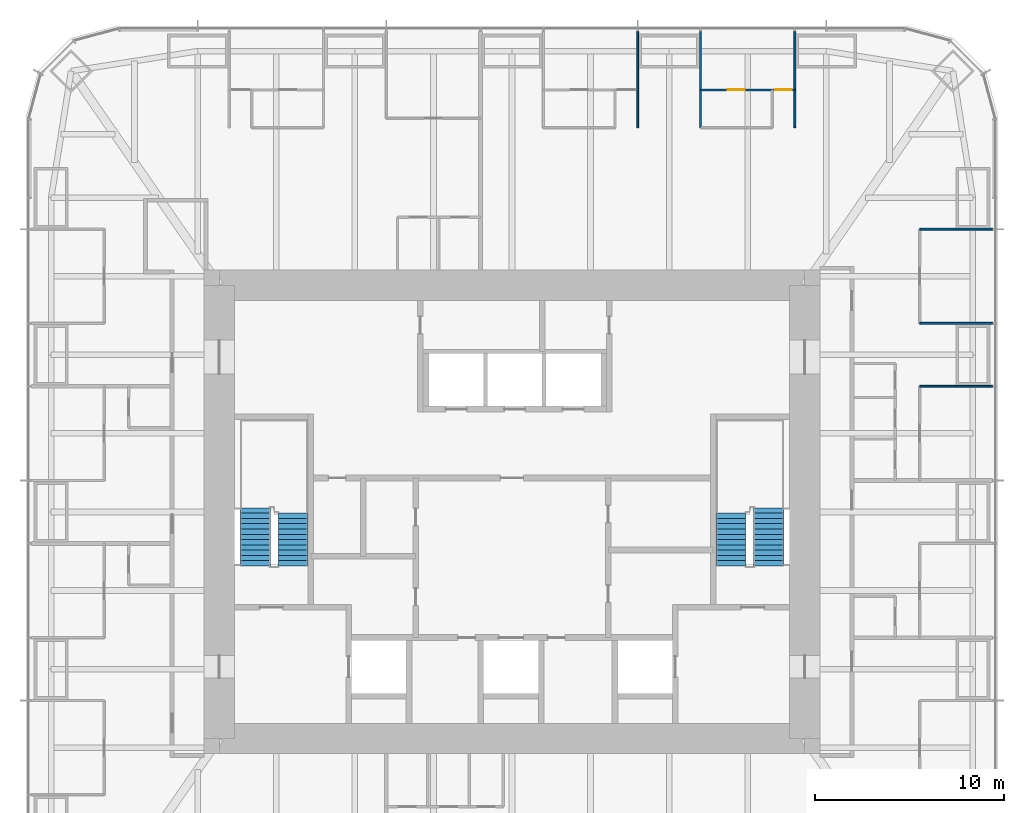
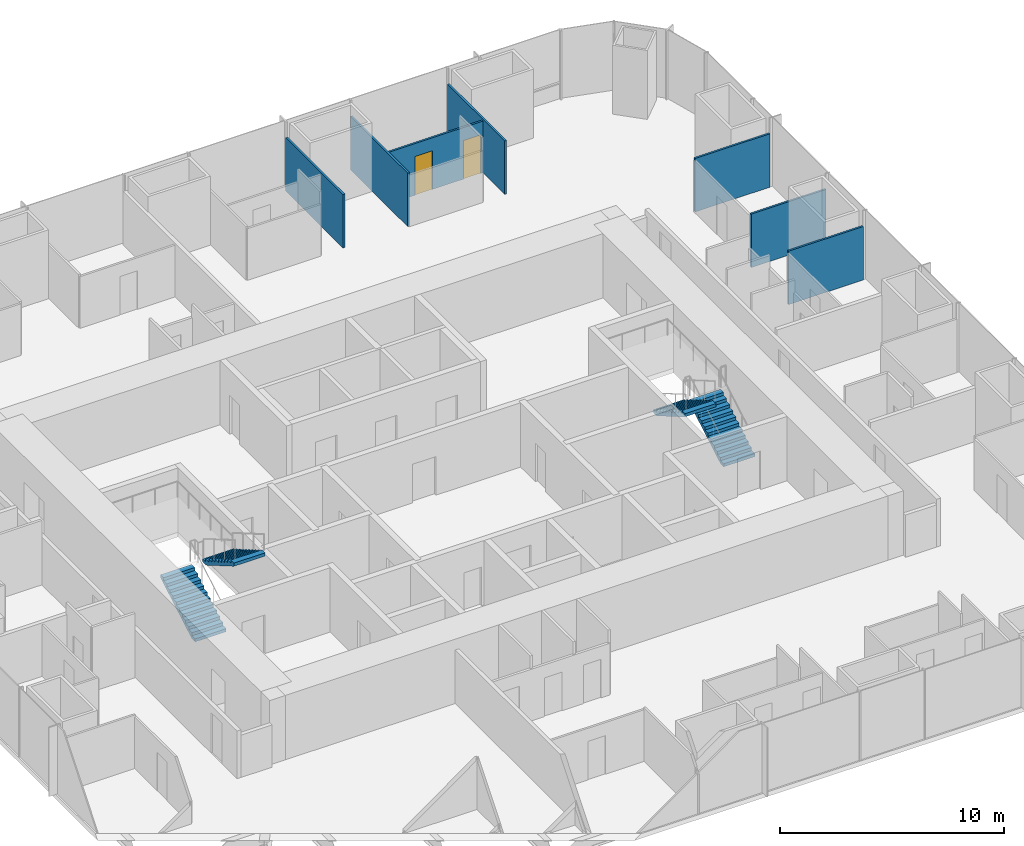
# One storey, part 12 of 13: 7 walls, 4 stair flights, 2 doors, 2 openings, 2 elements without a shape of their own.
"""IFC4 building model written with IfcOpenShell, lengths in metres."""

from ifc_helpers import new_model, si_unit, direction, frame, frame_2d, origin, place, context, subcontext, project, spatial, polyline, rectangle, outline, extrude, material, layer, layer_set, type_object, element, fill, aggregate, save


model = new_model("IFC4")

# Units and contexts
model_context = context("Model", 3, precision=1e-05, world=origin(), true_north=direction((0.0, 1.0)))
body_context = subcontext(model_context, "Body", "Model", "MODEL_VIEW")
ifc_project = project(units=[si_unit("LENGTHUNIT", "METRE"), si_unit("AREAUNIT", "SQUARE_METRE"), si_unit("VOLUMEUNIT", "CUBIC_METRE"), si_unit("PLANEANGLEUNIT", "RADIAN"), si_unit("MASSUNIT", "GRAM", prefix="KILO")], contexts=[model_context])

# Site, building, storey
site_placement = place(None, origin())
site = spatial("IfcSite", under=ifc_project, at=site_placement, CompositionType="ELEMENT")
building_placement = place(site_placement, origin())
building = spatial("IfcBuilding", under=site, at=building_placement, Name="Khuree Lantern Residences", CompositionType="ELEMENT")
storey_placement = place(building_placement, frame((0.0, 0.0, 263.25)))
storey = spatial("IfcBuildingStorey", under=building, at=storey_placement, Name="L66", CompositionType="ELEMENT", Elevation=263.25)

# Walls
ifc_material_1 = material(Name="Gypsum board on steel studs", Category="steel")
ifc_layer = layer(ifc_material_1, 0.10009765625)
ifc_layer_set = layer_set([ifc_layer], Name="PARTITION PT100")
wall_type = type_object("IfcWallType", Name="PARTITION PT100", PredefinedType="PARTITIONING", material=ifc_layer_set)
for number, where, z_axis, x_axis, name in (
    (1, (21.60009765625, 6.656005859375, 0.0), (0.0, 0.0, 1.0), (1.0, 0.0, 0.0), "L66 PARTITION 02"),
    (2, (21.60009765625, 9.98388671875, 0.0), (0.0, 0.0, 1.0), (1.0, 0.0, 0.0), "L66 PARTITION 02"),
    (3, (21.60009765625, 14.97607421875, 0.0), (0.0, 0.0, 1.0), (1.0, 0.0, 0.0), "L66 PARTITION 02"),
):
    element("IfcWall", number, at=place(storey_placement, frame(where, z_axis=z_axis, x_axis=x_axis)), inside=storey, type_object=wall_type, Name=name, PredefinedType="PARTITIONING", context=body_context, shape_type="SweptSolid", body=[
        extrude(rectangle(XDim=3.849853515625, YDim=0.10009765625, at=frame_2d((1.9248046875, 0.0))), origin(), (0.0, 0.0, 1.0), 2.909912109375),
    ])
for number, where, z_axis, x_axis, name in (
    (4, (14.97607421875, 20.344970703125, 0.0), (0.0, 0.0, 1.0), (0.0, 1.0, 0.0), "L66 PARTITION 02"),
    (5, (9.98388671875, 20.344970703125, 0.0), (0.0, 0.0, 1.0), (0.0, 1.0, 0.0), "L66 PARTITION 02"),
    (6, (6.656005859375, 20.344970703125, 0.0), (0.0, 0.0, 1.0), (0.0, 1.0, 0.0), "L66 PARTITION 02"),
):
    element("IfcWall", number, at=place(storey_placement, frame(where, z_axis=z_axis, x_axis=x_axis)), inside=storey, type_object=wall_type, Name=name, PredefinedType="PARTITIONING", context=body_context, shape_type="SweptSolid", body=[
        extrude(rectangle(XDim=5.10498046875, YDim=0.10009765625, at=frame_2d((2.552490234375, 0.0))), origin(), (0.0, 0.0, 1.0), 2.909912109375),
    ])

# Wall, openings, doors
wall_placement = place(storey_placement, frame((14.97607421875, 22.344970703125, 0.0), z_axis=(0.0, 0.0, 1.0), x_axis=(-1.0, 0.0, 0.0)))
wall = element("IfcWall", 7, at=wall_placement, inside=storey, type_object=wall_type, Name="L66 PARTITION 02", PredefinedType="PARTITIONING", context=body_context, shape_type="SweptSolid", body=[
    extrude(rectangle(XDim=4.9921875, YDim=0.10009765625, at=frame_2d((2.49609375, 0.0))), origin(), (0.0, 0.0, 1.0), 2.81005859375),
])
opening_1_placement = place(wall_placement, frame((0.14990234375, 0.0, 0.0)))
opening_1 = element("IfcOpeningElement", 8, at=opening_1_placement, cuts=wall, Name="Opening 66-028", PredefinedType="OPENING", context=body_context, shape_type="SweptSolid", body=[
    extrude(rectangle(XDim=0.89990234375, YDim=2.10009765625, at=frame_2d((0.449951171875, 1.050048828125))), frame((0.0, 0.06005859375, 0.0), z_axis=(0.0, -1.0, 0.0), x_axis=(1.0, 0.0, 0.0)), (0.0, 0.0, 1.0), 0.1201171875),
])
opening_2_placement = place(wall_placement, frame((2.64599609375, 0.0, 0.0)))
opening_2 = element("IfcOpeningElement", 9, at=opening_2_placement, cuts=wall, Name="Opening 66-029", PredefinedType="OPENING", context=body_context, shape_type="SweptSolid", body=[
    extrude(rectangle(XDim=0.89990234375, YDim=2.10009765625, at=frame_2d((0.449951171875, 1.050048828125))), frame((0.0, 0.06005859375, 0.0), z_axis=(0.0, -1.0, 0.0), x_axis=(1.0, 0.0, 0.0)), (0.0, 0.0, 1.0), 0.1201171875),
])
ifc_material_2 = material(Name="Timber door leaf in hardwood frame", Category="wood")
door_type_1 = type_object("IfcDoorType", Name="BEDROOM DOOR 900X2100", OperationType="SINGLE_SWING_LEFT", PredefinedType="DOOR", material=ifc_material_2)
door_1_placement = place(opening_1_placement, origin())
door_1 = element("IfcDoor", 10, at=door_1_placement, inside=storey, type_object=door_type_1, Name="Bedroom door 66-028", OperationType="SINGLE_SWING_LEFT", OverallHeight=2.10009765625, OverallWidth=0.89990234375, PredefinedType="DOOR", context=body_context, shape_type="SweptSolid", body=[
    extrude(rectangle(XDim=0.89990234375, YDim=2.10009765625, at=frame_2d((0.449951171875, 1.050048828125))), frame((0.0, 0.02490234375, 0.0), z_axis=(0.0, -1.0, 0.0), x_axis=(1.0, 0.0, 0.0)), (0.0, 0.0, 1.0), 0.050048828125),
])
fill(opening_1, door_1)
door_type_2 = type_object("IfcDoorType", Name="DOOR 900X2100", OperationType="SINGLE_SWING_LEFT", PredefinedType="DOOR", material=ifc_material_2)
door_2_placement = place(opening_2_placement, origin())
door_2 = element("IfcDoor", 11, at=door_2_placement, inside=storey, type_object=door_type_2, Name="Wardrobe door 66-029", OperationType="SINGLE_SWING_LEFT", OverallHeight=2.10009765625, OverallWidth=0.89990234375, PredefinedType="DOOR", context=body_context, shape_type="SweptSolid", body=[
    extrude(rectangle(XDim=0.89990234375, YDim=2.10009765625, at=frame_2d((0.449951171875, 1.050048828125))), frame((0.0, 0.02490234375, 0.0), z_axis=(0.0, -1.0, 0.0), x_axis=(1.0, 0.0, 0.0)), (0.0, 0.0, 1.0), 0.050048828125),
])
fill(opening_2, door_2)

# Stair, stair flights
ifc_material_3 = material(Name="Concrete C40/50", Category="concrete")
stair_type = type_object("IfcStairType", Name="STAIR ST1 HALF TURN 3600", PredefinedType="HALF_TURN_STAIR", material=ifc_material_3)
stair_1_placement = place(storey_placement, origin())
stair_1 = element("IfcStair", 12, at=stair_1_placement, inside=storey, type_object=stair_type, Name="Stair ST1", PredefinedType="HALF_TURN_STAIR")
stair_flight_type = type_object("IfcStairFlightType", Name="STAIR FLIGHT SF1 1600", PredefinedType="STRAIGHT", material=ifc_material_3)
stair_flight_1_placement = place(storey_placement, frame((-13.60009765625, -2.860107421875, 0.0), z_axis=(0.0, 0.0, 1.0), x_axis=(0.0, 1.0, 0.0)))
stair_flight_1 = element("IfcStairFlight", 13, at=stair_flight_1_placement, type_object=stair_flight_type, Name="ST1 flight 1", NumberOfRisers=12, NumberOfTreads=11, PredefinedType="STRAIGHT", RiserHeight=0.163043478, TreadLength=0.28, context=body_context, shape_type="SweptSolid", body=[
    extrude(outline(polyline([(0.0, 0.0), (0.0, 0.1630859375), (0.280029296875, 0.1630859375), (0.280029296875, 0.326171875), (0.56005859375, 0.326171875), (0.56005859375, 0.489013671875), (0.840087890625, 0.489013671875), (0.840087890625, 0.652099609375), (1.1201171875, 0.652099609375), (1.1201171875, 0.815185546875), (1.39990234375, 0.815185546875), (1.39990234375, 0.978271484375), (1.679931640625, 0.978271484375), (1.679931640625, 1.141357421875), (1.9599609375, 1.141357421875), (1.9599609375, 1.304443359375), (2.239990234375, 1.304443359375), (2.239990234375, 1.46728515625), (2.52001953125, 1.46728515625), (2.52001953125, 1.63037109375), (2.800048828125, 1.63037109375), (2.800048828125, 1.79345703125), (3.080078125, 1.79345703125), (3.080078125, 1.95654296875), (3.080078125, 1.6201171875), (0.2978515625, 0.0), (0.0, 0.0)])), frame((0.0, 0.800048828125, 0.0), z_axis=(0.0, -1.0, 0.0), x_axis=(1.0, 0.0, 0.0)), (0.0, 0.0, 1.0), 1.60009765625),
])
stair_flight_2_placement = place(storey_placement, frame((-11.60009765625, -0.06005859375, 1.95654296875), z_axis=(0.0, 0.0, 1.0), x_axis=(0.0, -1.0, 0.0)))
stair_flight_2 = element("IfcStairFlight", 14, at=stair_flight_2_placement, type_object=stair_flight_type, Name="ST1 flight 2", NumberOfRisers=11, NumberOfTreads=10, PredefinedType="STRAIGHT", RiserHeight=0.163043478, TreadLength=0.28, context=body_context, shape_type="SweptSolid", body=[
    extrude(outline(polyline([(0.0, 0.0), (0.0, 0.1630859375), (0.280029296875, 0.1630859375), (0.280029296875, 0.326171875), (0.56005859375, 0.326171875), (0.56005859375, 0.489013671875), (0.840087890625, 0.489013671875), (0.840087890625, 0.652099609375), (1.1201171875, 0.652099609375), (1.1201171875, 0.815185546875), (1.39990234375, 0.815185546875), (1.39990234375, 0.978271484375), (1.679931640625, 0.978271484375), (1.679931640625, 1.141357421875), (1.9599609375, 1.141357421875), (1.9599609375, 1.304443359375), (2.239990234375, 1.304443359375), (2.239990234375, 1.46728515625), (2.52001953125, 1.46728515625), (2.52001953125, 1.63037109375), (2.800048828125, 1.63037109375), (2.800048828125, 1.79345703125), (2.800048828125, 1.45703125), (0.2978515625, 0.0), (0.0, 0.0)])), frame((0.0, 0.800048828125, 0.0), z_axis=(0.0, -1.0, 0.0), x_axis=(1.0, 0.0, 0.0)), (0.0, 0.0, 1.0), 1.60009765625),
])
aggregate(stair_1, [stair_flight_1, stair_flight_2])

stair_2_placement = place(storey_placement, origin())
stair_2 = element("IfcStair", 15, at=stair_2_placement, inside=storey, type_object=stair_type, Name="Stair ST2", PredefinedType="HALF_TURN_STAIR")
stair_flight_3_placement = place(storey_placement, frame((13.60009765625, -2.860107421875, 0.0), z_axis=(0.0, 0.0, 1.0), x_axis=(0.0, 1.0, 0.0)))
stair_flight_3 = element("IfcStairFlight", 16, at=stair_flight_3_placement, type_object=stair_flight_type, Name="ST2 flight 1", NumberOfRisers=12, NumberOfTreads=11, PredefinedType="STRAIGHT", RiserHeight=0.163043478, TreadLength=0.28, context=body_context, shape_type="SweptSolid", body=[
    extrude(outline(polyline([(0.0, 0.0), (0.0, 0.1630859375), (0.280029296875, 0.1630859375), (0.280029296875, 0.326171875), (0.56005859375, 0.326171875), (0.56005859375, 0.489013671875), (0.840087890625, 0.489013671875), (0.840087890625, 0.652099609375), (1.1201171875, 0.652099609375), (1.1201171875, 0.815185546875), (1.39990234375, 0.815185546875), (1.39990234375, 0.978271484375), (1.679931640625, 0.978271484375), (1.679931640625, 1.141357421875), (1.9599609375, 1.141357421875), (1.9599609375, 1.304443359375), (2.239990234375, 1.304443359375), (2.239990234375, 1.46728515625), (2.52001953125, 1.46728515625), (2.52001953125, 1.63037109375), (2.800048828125, 1.63037109375), (2.800048828125, 1.79345703125), (3.080078125, 1.79345703125), (3.080078125, 1.95654296875), (3.080078125, 1.6201171875), (0.2978515625, 0.0), (0.0, 0.0)])), frame((0.0, 0.800048828125, 0.0), z_axis=(0.0, -1.0, 0.0), x_axis=(1.0, 0.0, 0.0)), (0.0, 0.0, 1.0), 1.60009765625),
])
stair_flight_4_placement = place(storey_placement, frame((11.60009765625, -0.06005859375, 1.95654296875), z_axis=(0.0, 0.0, 1.0), x_axis=(0.0, -1.0, 0.0)))
stair_flight_4 = element("IfcStairFlight", 17, at=stair_flight_4_placement, type_object=stair_flight_type, Name="ST2 flight 2", NumberOfRisers=11, NumberOfTreads=10, PredefinedType="STRAIGHT", RiserHeight=0.163043478, TreadLength=0.28, context=body_context, shape_type="SweptSolid", body=[
    extrude(outline(polyline([(0.0, 0.0), (0.0, 0.1630859375), (0.280029296875, 0.1630859375), (0.280029296875, 0.326171875), (0.56005859375, 0.326171875), (0.56005859375, 0.489013671875), (0.840087890625, 0.489013671875), (0.840087890625, 0.652099609375), (1.1201171875, 0.652099609375), (1.1201171875, 0.815185546875), (1.39990234375, 0.815185546875), (1.39990234375, 0.978271484375), (1.679931640625, 0.978271484375), (1.679931640625, 1.141357421875), (1.9599609375, 1.141357421875), (1.9599609375, 1.304443359375), (2.239990234375, 1.304443359375), (2.239990234375, 1.46728515625), (2.52001953125, 1.46728515625), (2.52001953125, 1.63037109375), (2.800048828125, 1.63037109375), (2.800048828125, 1.79345703125), (2.800048828125, 1.45703125), (0.2978515625, 0.0), (0.0, 0.0)])), frame((0.0, 0.800048828125, 0.0), z_axis=(0.0, -1.0, 0.0), x_axis=(1.0, 0.0, 0.0)), (0.0, 0.0, 1.0), 1.60009765625),
])
aggregate(stair_2, [stair_flight_3, stair_flight_4])

save(model, "model.ifc")
